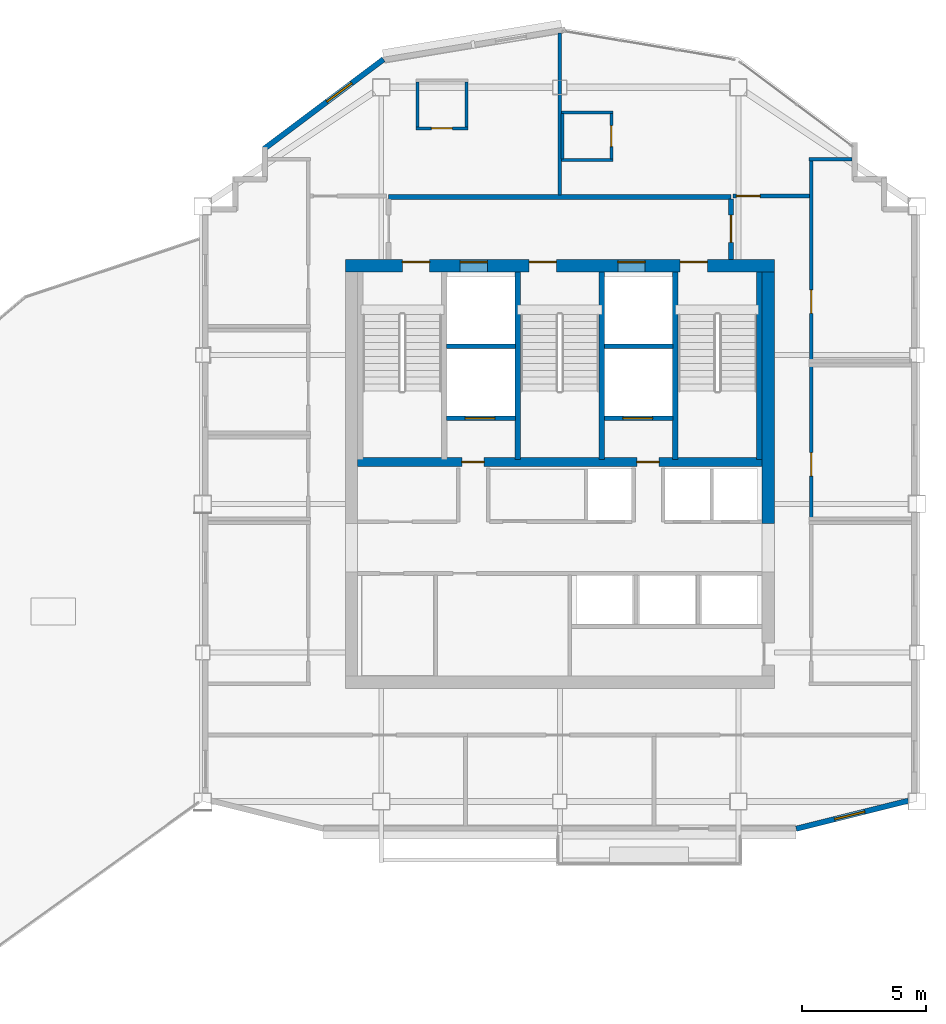
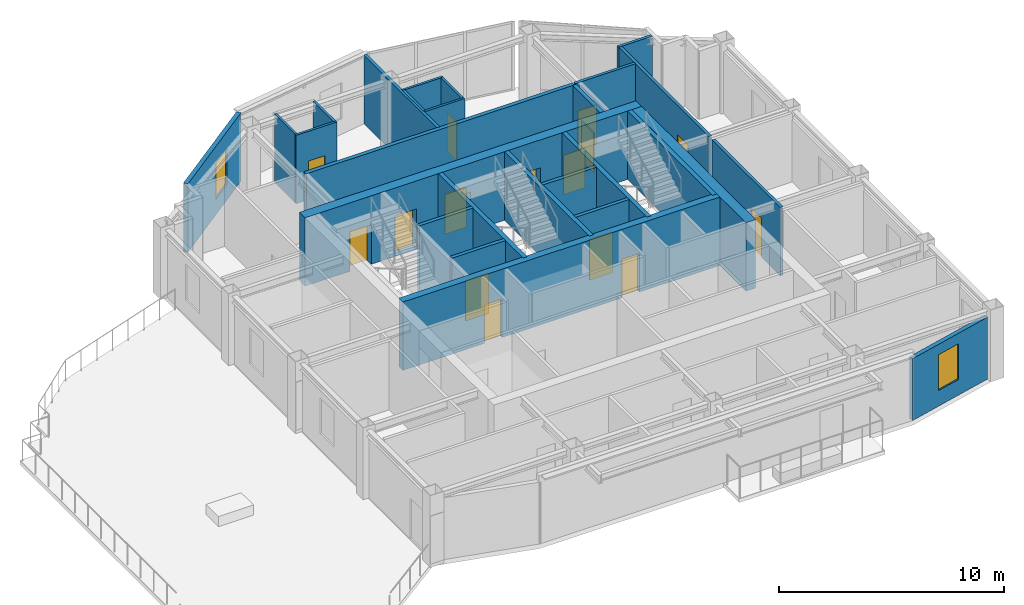
# One storey, part 9 of 12: 27 walls, 15 doors, 2 windows, 17 openings.
"""IFC4 building model written with IfcOpenShell, lengths in metres."""

from ifc_helpers import new_model, si_unit, direction, frame, frame_2d, origin, place, context, subcontext, project, spatial, rectangle, extrude, material, layer, layer_set, type_object, element, fill, save


model = new_model("IFC4")

# Units and contexts
model_context = context("Model", 3, precision=1e-05, world=origin(), true_north=direction((0.0, 1.0)))
body_context = subcontext(model_context, "Body", "Model", "MODEL_VIEW")
ifc_project = project(units=[si_unit("LENGTHUNIT", "METRE"), si_unit("AREAUNIT", "SQUARE_METRE"), si_unit("VOLUMEUNIT", "CUBIC_METRE"), si_unit("PLANEANGLEUNIT", "RADIAN"), si_unit("MASSUNIT", "GRAM", prefix="KILO")], contexts=[model_context])

# Site, building, storey
site_placement = place(None, origin())
site = spatial("IfcSite", under=ifc_project, at=site_placement, CompositionType="ELEMENT")
building_placement = place(site_placement, origin())
building = spatial("IfcBuilding", under=site, at=building_placement, Name="Haolan Belvedere Tower", CompositionType="ELEMENT")
storey_placement = place(building_placement, frame((0.0, 0.0, 282.199951171875)))
storey = spatial("IfcBuildingStorey", under=building, at=storey_placement, Name="L71", CompositionType="ELEMENT", Elevation=282.199951171875)

# Wall, openings, doors
ifc_material_1 = material(Name="Concrete C50/60", Category="concrete")
ifc_layer_1 = layer(ifc_material_1, 0.5, Name="Concrete C50/60")
ifc_layer_set_1 = layer_set([ifc_layer_1], Name="Concrete C50/60")
wall_type_1 = type_object("IfcWallType", Name="WL-CORE-500", PredefinedType="SHEAR", material=ifc_layer_set_1)
wall_1_placement = place(storey_placement, frame((29.75, 43.199951171875, 0.0), z_axis=(0.0, 0.0, 1.0), x_axis=(1.0, 0.0, 0.0)))
wall_1 = element("IfcWall", 1, at=wall_1_placement, inside=storey, type_object=wall_type_1, Name="L71 central core north shear wall", PredefinedType="SHEAR", context=body_context, shape_type="SweptSolid", body=[
    extrude(rectangle(XDim=17.300048828125, YDim=0.5, at=frame_2d((8.64990234375, 0.0))), origin(), (0.0, 0.0, 1.0), 3.719970703125),
])
opening_1_placement = place(wall_1_placement, frame((2.300048828125, 0.0, 0.0)))
opening_1 = element("IfcOpeningElement", 2, at=opening_1_placement, cuts=wall_1, Name="Opening FD-03", PredefinedType="OPENING", context=body_context, shape_type="SweptSolid", body=[
    extrude(rectangle(XDim=1.10009765625, YDim=2.14990234375, at=frame_2d((0.550048828125, 1.074951171875))), frame((0.0, 0.260009765625, 0.0), z_axis=(0.0, -1.0, 0.0), x_axis=(1.0, 0.0, 0.0)), (0.0, 0.0, 1.0), 0.52001953125),
])
opening_2_placement = place(wall_1_placement, frame((7.409912109375, 0.0, 0.0)))
opening_2 = element("IfcOpeningElement", 3, at=opening_2_placement, cuts=wall_1, Name="Opening FD-03", PredefinedType="OPENING", context=body_context, shape_type="SweptSolid", body=[
    extrude(rectangle(XDim=1.10009765625, YDim=2.14990234375, at=frame_2d((0.550048828125, 1.074951171875))), frame((0.0, 0.260009765625, 0.0), z_axis=(0.0, -1.0, 0.0), x_axis=(1.0, 0.0, 0.0)), (0.0, 0.0, 1.0), 0.52001953125),
])
opening_3_placement = place(wall_1_placement, frame((13.5, 0.0, 0.0)))
opening_3 = element("IfcOpeningElement", 4, at=opening_3_placement, cuts=wall_1, Name="Opening FD-03", PredefinedType="OPENING", context=body_context, shape_type="SweptSolid", body=[
    extrude(rectangle(XDim=1.10009765625, YDim=2.14990234375, at=frame_2d((0.550048828125, 1.074951171875))), frame((0.0, 0.260009765625, 0.0), z_axis=(0.0, -1.0, 0.0), x_axis=(1.0, 0.0, 0.0)), (0.0, 0.0, 1.0), 0.52001953125),
])
opening_4_placement = place(wall_1_placement, frame((4.6298828125, 0.0, 0.0)))
opening_4 = element("IfcOpeningElement", 5, at=opening_4_placement, cuts=wall_1, Name="Opening LD-01", PredefinedType="OPENING", context=body_context, shape_type="SweptSolid", body=[
    extrude(rectangle(XDim=1.10009765625, YDim=2.199951171875, at=frame_2d((0.550048828125, 1.10009765625))), frame((0.0, 0.260009765625, 0.0), z_axis=(0.0, -1.0, 0.0), x_axis=(1.0, 0.0, 0.0)), (0.0, 0.0, 1.0), 0.52001953125),
])
opening_5_placement = place(wall_1_placement, frame((10.989990234375, 0.0, 0.0)))
opening_5 = element("IfcOpeningElement", 6, at=opening_5_placement, cuts=wall_1, Name="Opening LD-01", PredefinedType="OPENING", context=body_context, shape_type="SweptSolid", body=[
    extrude(rectangle(XDim=1.10009765625, YDim=2.199951171875, at=frame_2d((0.550048828125, 1.10009765625))), frame((0.0, 0.260009765625, 0.0), z_axis=(0.0, -1.0, 0.0), x_axis=(1.0, 0.0, 0.0)), (0.0, 0.0, 1.0), 0.52001953125),
])
ifc_material_2 = material(Name="Galvanised fire-rated steel", Category="steel")
door_type_1 = type_object("IfcDoorType", Name="DR-FD90-1100", OperationType="NOTDEFINED", PredefinedType="DOOR", material=ifc_material_2)
door_1_placement = place(opening_1_placement, origin())
door_1 = element("IfcDoor", 7, at=door_1_placement, inside=storey, type_object=door_type_1, Name="L71 door CD-L71-ST1", OperationType="SINGLE_SWING_LEFT", OverallHeight=2.14990234375, OverallWidth=1.10009765625, PredefinedType="DOOR", context=body_context, shape_type="SweptSolid", body=[
    extrude(rectangle(XDim=1.10009765625, YDim=2.14990234375, at=frame_2d((0.550048828125, 1.074951171875))), frame((0.0, 0.18505859375, 0.0), z_axis=(0.0, -1.0, 0.0), x_axis=(1.0, 0.0, 0.0)), (0.0, 0.0, 1.0), 0.050048828125),
])
fill(opening_1, door_1)
door_2_placement = place(opening_2_placement, origin())
door_2 = element("IfcDoor", 8, at=door_2_placement, inside=storey, type_object=door_type_1, Name="L71 door CD-L71-ST3", OperationType="SINGLE_SWING_LEFT", OverallHeight=2.14990234375, OverallWidth=1.10009765625, PredefinedType="DOOR", context=body_context, shape_type="SweptSolid", body=[
    extrude(rectangle(XDim=1.10009765625, YDim=2.14990234375, at=frame_2d((0.550048828125, 1.074951171875))), frame((0.0, 0.18505859375, 0.0), z_axis=(0.0, -1.0, 0.0), x_axis=(1.0, 0.0, 0.0)), (0.0, 0.0, 1.0), 0.050048828125),
])
fill(opening_2, door_2)
door_3_placement = place(opening_3_placement, origin())
door_3 = element("IfcDoor", 9, at=door_3_placement, inside=storey, type_object=door_type_1, Name="L71 door CD-L71-ST2", OperationType="SINGLE_SWING_RIGHT", OverallHeight=2.14990234375, OverallWidth=1.10009765625, PredefinedType="DOOR", context=body_context, shape_type="SweptSolid", body=[
    extrude(rectangle(XDim=1.10009765625, YDim=2.14990234375, at=frame_2d((0.550048828125, 1.074951171875))), frame((0.0, 0.18505859375, 0.0), z_axis=(0.0, -1.0, 0.0), x_axis=(1.0, 0.0, 0.0)), (0.0, 0.0, 1.0), 0.050048828125),
])
fill(opening_3, door_3)
ifc_material_3 = material(Name="Brushed champagne stainless steel 316L", Category="steel")
door_type_2 = type_object("IfcDoorType", Name="DR-LIFT-1100", OperationType="SLIDING_TO_LEFT", PredefinedType="DOOR", material=ifc_material_3)
door_4_placement = place(opening_4_placement, origin())
door_4 = element("IfcDoor", 10, at=door_4_placement, inside=storey, type_object=door_type_2, Name="L71 door LD-L71-FF1", OperationType="SLIDING_TO_LEFT", OverallHeight=2.199951171875, OverallWidth=1.10009765625, PredefinedType="DOOR", context=body_context, shape_type="SweptSolid", body=[
    extrude(rectangle(XDim=1.10009765625, YDim=2.199951171875, at=frame_2d((0.550048828125, 1.10009765625))), frame((0.0, 0.18505859375, 0.0), z_axis=(0.0, -1.0, 0.0), x_axis=(1.0, 0.0, 0.0)), (0.0, 0.0, 1.0), 0.050048828125),
])
fill(opening_4, door_4)
door_5_placement = place(opening_5_placement, origin())
door_5 = element("IfcDoor", 11, at=door_5_placement, inside=storey, type_object=door_type_2, Name="L71 door LD-L71-FF2", OperationType="SLIDING_TO_LEFT", OverallHeight=2.199951171875, OverallWidth=1.10009765625, PredefinedType="DOOR", context=body_context, shape_type="SweptSolid", body=[
    extrude(rectangle(XDim=1.10009765625, YDim=2.199951171875, at=frame_2d((0.550048828125, 1.10009765625))), frame((0.0, 0.18505859375, 0.0), z_axis=(0.0, -1.0, 0.0), x_axis=(1.0, 0.0, 0.0)), (0.0, 0.0, 1.0), 0.050048828125),
])
fill(opening_5, door_5)

# Wall
wall_2_placement = place(storey_placement, frame((46.800048828125, 32.800048828125, 0.0), z_axis=(0.0, 0.0, 1.0), x_axis=(0.0, 1.0, 0.0)))
element("IfcWall", 12, at=wall_2_placement, inside=storey, type_object=wall_type_1, Name="L71 central core shear wall EN", PredefinedType="SHEAR", context=body_context, shape_type="SweptSolid", body=[
    extrude(rectangle(XDim=10.14990234375, YDim=0.5, at=frame_2d((5.074951171875, 0.0))), origin(), (0.0, 0.0, 1.0), 3.719970703125),
])

# Wall, opening, window
ifc_material_4 = material(Name="Precast concrete C40/50", Category="concrete")
ifc_layer_2 = layer(ifc_material_4, 0.219970703125, Name="Precast concrete C40/50")
ifc_layer_set_2 = layer_set([ifc_layer_2], Name="Precast concrete C40/50")
wall_type_2 = type_object("IfcWallType", Name="WL-EXT-220", PredefinedType="SOLIDWALL", material=ifc_layer_set_2)
wall_3_placement = place(storey_placement, frame((47.93310546875, 20.49658203125, 0.0), z_axis=(0.0, 0.0, 1.0), x_axis=(0.970136341762, 0.242560257242, 0.0)))
wall_3 = element("IfcWall", 13, at=wall_3_placement, inside=storey, type_object=wall_type_2, Name="L71 pale-metal exterior spandrel wall 2.1", PredefinedType="SOLIDWALL", context=body_context, shape_type="SweptSolid", body=[
    extrude(rectangle(XDim=4.664306640625, YDim=0.219970703125, at=frame_2d((2.33203125, 0.0))), origin(), (0.0, 0.0, 1.0), 3.364990234375),
])
opening_6_placement = place(wall_3_placement, frame((1.60009765625, 0.0, 0.85009765625)))
opening_6 = element("IfcOpeningElement", 14, at=opening_6_placement, cuts=wall_3, Name="Opening W-04", PredefinedType="OPENING", context=body_context, shape_type="SweptSolid", body=[
    extrude(rectangle(XDim=1.25, YDim=1.949951171875, at=frame_2d((0.625, 0.97509765625))), frame((0.0, 0.119873046875, 0.0), z_axis=(0.0, -1.0, 0.0), x_axis=(1.0, 0.0, 0.0)), (0.0, 0.0, 1.0), 0.239990234375),
])
ifc_material_5 = material(Name="Anodised aluminium 6063-T6 and Low-E glass", Category="aluminium")
window_type = type_object("IfcWindowType", Name="WN-DECO-Z4", PartitioningType="SINGLE_PANEL", PredefinedType="WINDOW", material=ifc_material_5)
window_1_placement = place(opening_6_placement, origin())
window_1 = element("IfcWindow", 15, at=window_1_placement, inside=storey, type_object=window_type, Name="L71 Art Deco chevron window 1", OverallHeight=1.949951171875, OverallWidth=1.25, PartitioningType="SINGLE_PANEL", PredefinedType="WINDOW", context=body_context, shape_type="SweptSolid", body=[
    extrude(rectangle(XDim=1.25, YDim=1.949951171875, at=frame_2d((0.625, 0.97509765625))), frame((0.0, 0.030029296875, 0.0), z_axis=(0.0, -1.0, 0.0), x_axis=(1.0, 0.0, 0.0)), (0.0, 0.0, 1.0), 0.06005859375),
])
fill(opening_6, window_1)

wall_4_placement = place(storey_placement, frame((31.28857421875, 51.52880859375, 0.0), z_axis=(0.0, 0.0, 1.0), x_axis=(-0.800014580093, -0.599980559383, 0.0)))
wall_4 = element("IfcWall", 16, at=wall_4_placement, inside=storey, type_object=wall_type_2, Name="L71 pale-metal exterior spandrel wall 11.1", PredefinedType="SOLIDWALL", context=body_context, shape_type="SweptSolid", body=[
    extrude(rectangle(XDim=6.028076171875, YDim=0.219970703125, at=frame_2d((3.01416015625, 0.0))), origin(), (0.0, 0.0, 1.0), 3.719970703125),
])
opening_7_placement = place(wall_4_placement, frame((1.60009765625, 0.0, 0.85009765625)))
opening_7 = element("IfcOpeningElement", 17, at=opening_7_placement, cuts=wall_4, Name="Opening W-04", PredefinedType="OPENING", context=body_context, shape_type="SweptSolid", body=[
    extrude(rectangle(XDim=1.25, YDim=1.949951171875, at=frame_2d((0.625, 0.97509765625))), frame((0.0, 0.119873046875, 0.0), z_axis=(0.0, -1.0, 0.0), x_axis=(1.0, 0.0, 0.0)), (0.0, 0.0, 1.0), 0.239990234375),
])
window_2_placement = place(opening_7_placement, origin())
window_2 = element("IfcWindow", 18, at=window_2_placement, inside=storey, type_object=window_type, Name="L71 Art Deco chevron window 1", OverallHeight=1.949951171875, OverallWidth=1.25, PartitioningType="SINGLE_PANEL", PredefinedType="WINDOW", context=body_context, shape_type="SweptSolid", body=[
    extrude(rectangle(XDim=1.25, YDim=1.949951171875, at=frame_2d((0.625, 0.97509765625))), frame((0.0, 0.030029296875, 0.0), z_axis=(0.0, -1.0, 0.0), x_axis=(1.0, 0.0, 0.0)), (0.0, 0.0, 1.0), 0.06005859375),
])
fill(opening_7, window_2)

# Wall
ifc_material_6 = material(Name="Concrete C40/50", Category="concrete")
ifc_layer_3 = layer(ifc_material_6, 0.199951171875, Name="Concrete C40/50")
ifc_layer_set_3 = layer_set([ifc_layer_3], Name="Concrete C40/50")
wall_type_3 = type_object("IfcWallType", Name="WL-FIRE-200", PredefinedType="SOLIDWALL", material=ifc_layer_set_3)
wall_5_placement = place(storey_placement, frame((31.5, 45.97998046875, 0.0), z_axis=(0.0, 0.0, 1.0), x_axis=(1.0, 0.0, 0.0)))
element("IfcWall", 19, at=wall_5_placement, inside=storey, type_object=wall_type_3, Name="L71 interior partition IW-L71-FFL-N", PredefinedType="SOLIDWALL", context=body_context, shape_type="SweptSolid", body=[
    extrude(rectangle(XDim=13.800048828125, YDim=0.199951171875, at=frame_2d((6.89990234375, 0.0))), origin(), (0.0, 0.0, 1.0), 3.719970703125),
])

# Wall, opening, door
wall_6_placement = place(storey_placement, frame((45.300048828125, 43.449951171875, 0.0), z_axis=(0.0, 0.0, 1.0), x_axis=(0.0, 1.0, 0.0)))
wall_6 = element("IfcWall", 20, at=wall_6_placement, inside=storey, type_object=wall_type_3, Name="L71 interior partition IW-L71-FFL-E", PredefinedType="SOLIDWALL", context=body_context, shape_type="SweptSolid", body=[
    extrude(rectangle(XDim=2.445068359375, YDim=0.199951171875, at=frame_2d((1.22265625, 0.0))), origin(), (0.0, 0.0, 1.0), 3.719970703125),
])
opening_8_placement = place(wall_6_placement, frame((0.699951171875, 0.0, 0.0)))
opening_8 = element("IfcOpeningElement", 21, at=opening_8_placement, cuts=wall_6, Name="Opening FD-03", PredefinedType="OPENING", context=body_context, shape_type="SweptSolid", body=[
    extrude(rectangle(XDim=1.10009765625, YDim=2.14990234375, at=frame_2d((0.550048828125, 1.074951171875))), frame((0.0, 0.10986328125, 0.0), z_axis=(0.0, -1.0, 0.0), x_axis=(1.0, 0.0, 0.0)), (0.0, 0.0, 1.0), 0.219970703125),
])
door_6_placement = place(opening_8_placement, origin())
door_6 = element("IfcDoor", 22, at=door_6_placement, inside=storey, type_object=door_type_1, Name="L71 door ID-L71-FFL-DE", OperationType="SINGLE_SWING_RIGHT", OverallHeight=2.14990234375, OverallWidth=1.10009765625, PredefinedType="DOOR", context=body_context, shape_type="SweptSolid", body=[
    extrude(rectangle(XDim=1.10009765625, YDim=2.14990234375, at=frame_2d((0.550048828125, 1.074951171875))), frame((0.0, 0.02490234375, 0.0), z_axis=(0.0, -1.0, 0.0), x_axis=(1.0, 0.0, 0.0)), (0.0, 0.0, 1.0), 0.050048828125),
])
fill(opening_8, door_6)

ifc_material_7 = material(Name="Double gypsum acoustic stud partition", Category="masonry")
ifc_layer_4 = layer(ifc_material_7, 0.14990234375, Name="Double gypsum acoustic stud partition")
ifc_layer_set_4 = layer_set([ifc_layer_4], Name="Double gypsum acoustic stud partition")
wall_type_4 = type_object("IfcWallType", Name="WL-PART-150", PredefinedType="PARTITIONING", material=ifc_layer_set_4)
wall_7_placement = place(storey_placement, frame((48.5400390625, 33.06005859375, 0.0), z_axis=(0.0, 0.0, 1.0), x_axis=(0.0, 1.0, 0.0)))
wall_7 = element("IfcWall", 23, at=wall_7_placement, inside=storey, type_object=wall_type_4, Name="L71 interior partition IW-L71-HSK-W", PredefinedType="PARTITIONING", context=body_context, shape_type="SweptSolid", body=[
    extrude(rectangle(XDim=6.079833984375, YDim=0.14990234375, at=frame_2d((3.0400390625, 0.0))), origin(), (0.0, 0.0, 1.0), 3.719970703125),
])
opening_9_placement = place(wall_7_placement, frame((1.659912109375, 0.0, 0.0)))
opening_9 = element("IfcOpeningElement", 24, at=opening_9_placement, cuts=wall_7, Name="Opening ID-03", PredefinedType="OPENING", context=body_context, shape_type="SweptSolid", body=[
    extrude(rectangle(XDim=0.949951171875, YDim=2.1201171875, at=frame_2d((0.47509765625, 1.06005859375))), frame((0.0, 0.0849609375, 0.0), z_axis=(0.0, -1.0, 0.0), x_axis=(1.0, 0.0, 0.0)), (0.0, 0.0, 1.0), 0.169921875),
])
ifc_material_8 = material(Name="Painted solid-core timber", Category="wood")
door_type_3 = type_object("IfcDoorType", Name="DR-INT-950", OperationType="NOTDEFINED", PredefinedType="DOOR", material=ifc_material_8)
door_7_placement = place(opening_9_placement, origin())
door_7 = element("IfcDoor", 25, at=door_7_placement, inside=storey, type_object=door_type_3, Name="L71 door ID-L71-HSK", OperationType="SINGLE_SWING_RIGHT", OverallHeight=2.1201171875, OverallWidth=0.949951171875, PredefinedType="DOOR", context=body_context, shape_type="SweptSolid", body=[
    extrude(rectangle(XDim=0.949951171875, YDim=2.1201171875, at=frame_2d((0.47509765625, 1.06005859375))), frame((0.0, 0.02490234375, 0.0), z_axis=(0.0, -1.0, 0.0), x_axis=(1.0, 0.0, 0.0)), (0.0, 0.0, 1.0), 0.050048828125),
])
fill(opening_9, door_7)

# Wall
wall_8_placement = place(storey_placement, frame((48.4599609375, 47.5, 0.0), z_axis=(0.0, 0.0, 1.0), x_axis=(1.0, 0.0, 0.0)))
element("IfcWall", 26, at=wall_8_placement, inside=storey, type_object=wall_type_4, Name="L71 interior partition IW-L71-MTG-N", PredefinedType="PARTITIONING", context=body_context, shape_type="SweptSolid", body=[
    extrude(rectangle(XDim=1.72802734375, YDim=0.14990234375, at=frame_2d((0.864013671875, 0.0))), origin(), (0.0, 0.0, 1.0), 3.719970703125),
])

# Wall, opening, door
wall_9_placement = place(storey_placement, frame((48.5400390625, 39.419921875, 0.0), z_axis=(0.0, 0.0, 1.0), x_axis=(0.0, 1.0, 0.0)))
wall_9 = element("IfcWall", 27, at=wall_9_placement, inside=storey, type_object=wall_type_4, Name="L71 interior partition IW-L71-MTG-W", PredefinedType="PARTITIONING", context=body_context, shape_type="SweptSolid", body=[
    extrude(rectangle(XDim=8.02001953125, YDim=0.14990234375, at=frame_2d((4.010009765625, 0.0))), origin(), (0.0, 0.0, 1.0), 3.719970703125),
])
opening_10_placement = place(wall_9_placement, frame((1.860107421875, 0.0, 0.0)))
opening_10 = element("IfcOpeningElement", 28, at=opening_10_placement, cuts=wall_9, Name="Opening ID-03", PredefinedType="OPENING", context=body_context, shape_type="SweptSolid", body=[
    extrude(rectangle(XDim=0.949951171875, YDim=2.1201171875, at=frame_2d((0.47509765625, 1.06005859375))), frame((0.0, 0.0849609375, 0.0), z_axis=(0.0, -1.0, 0.0), x_axis=(1.0, 0.0, 0.0)), (0.0, 0.0, 1.0), 0.169921875),
])
door_8_placement = place(opening_10_placement, origin())
door_8 = element("IfcDoor", 29, at=door_8_placement, inside=storey, type_object=door_type_3, Name="L71 door ID-L71-MTG", OperationType="SINGLE_SWING_LEFT", OverallHeight=2.1201171875, OverallWidth=0.949951171875, PredefinedType="DOOR", context=body_context, shape_type="SweptSolid", body=[
    extrude(rectangle(XDim=0.949951171875, YDim=2.1201171875, at=frame_2d((0.47509765625, 1.06005859375))), frame((0.0, 0.02490234375, 0.0), z_axis=(0.0, -1.0, 0.0), x_axis=(1.0, 0.0, 0.0)), (0.0, 0.0, 1.0), 0.050048828125),
])
fill(opening_10, door_8)

# Wall
wall_10_placement = place(storey_placement, frame((38.39990234375, 46.06494140625, 0.0), z_axis=(0.0, 0.0, 1.0), x_axis=(0.0, 1.0, 0.0)))
element("IfcWall", 30, at=wall_10_placement, inside=storey, type_object=wall_type_4, Name="L71 interior partition IW-L71-KN1-E", PredefinedType="PARTITIONING", context=body_context, shape_type="SweptSolid", body=[
    extrude(rectangle(XDim=6.520263671875, YDim=0.14990234375, at=frame_2d((3.26025390625, 0.0))), origin(), (0.0, 0.0, 1.0), 3.719970703125),
])

# Wall, opening, door
wall_11_placement = place(storey_placement, frame((45.385009765625, 46.02001953125, 0.0), z_axis=(0.0, 0.0, 1.0), x_axis=(1.0, 0.0, 0.0)))
wall_11 = element("IfcWall", 31, at=wall_11_placement, inside=storey, type_object=wall_type_4, Name="L71 interior partition IW-L71-KN2-S", PredefinedType="PARTITIONING", context=body_context, shape_type="SweptSolid", body=[
    extrude(rectangle(XDim=3.094970703125, YDim=0.14990234375, at=frame_2d((1.54736328125, 0.0))), origin(), (0.0, 0.0, 1.0), 3.719970703125),
])
opening_11_placement = place(wall_11_placement, frame((0.139892578125, 0.0, 0.0)))
opening_11 = element("IfcOpeningElement", 32, at=opening_11_placement, cuts=wall_11, Name="Opening ID-02", PredefinedType="OPENING", context=body_context, shape_type="SweptSolid", body=[
    extrude(rectangle(XDim=0.949951171875, YDim=2.14990234375, at=frame_2d((0.47509765625, 1.074951171875))), frame((0.0, 0.0849609375, 0.0), z_axis=(0.0, -1.0, 0.0), x_axis=(1.0, 0.0, 0.0)), (0.0, 0.0, 1.0), 0.169921875),
])
ifc_material_9 = material(Name="Acoustic oak veneer fire-rated timber", Category="wood")
door_type_4 = type_object("IfcDoorType", Name="DR-GUEST-950", OperationType="NOTDEFINED", PredefinedType="DOOR", material=ifc_material_9)
door_9_placement = place(opening_11_placement, origin())
door_9 = element("IfcDoor", 33, at=door_9_placement, inside=storey, type_object=door_type_4, Name="L71 door ID-L71-KN2-ENT", OperationType="SINGLE_SWING_LEFT", OverallHeight=2.14990234375, OverallWidth=0.949951171875, PredefinedType="DOOR", context=body_context, shape_type="SweptSolid", body=[
    extrude(rectangle(XDim=0.949951171875, YDim=2.14990234375, at=frame_2d((0.47509765625, 1.074951171875))), frame((0.0, 0.02490234375, 0.0), z_axis=(0.0, -1.0, 0.0), x_axis=(1.0, 0.0, 0.0)), (0.0, 0.0, 1.0), 0.050048828125),
])
fill(opening_11, door_9)

# Walls
ifc_layer_5 = layer(ifc_material_4, 0.179931640625, Name="Precast concrete C40/50")
ifc_layer_set_5 = layer_set([ifc_layer_5], Name="Precast concrete C40/50")
wall_type_5 = type_object("IfcWallType", Name="WL-SHAFT-180", PredefinedType="SOLIDWALL", material=ifc_layer_set_5)
for number, where, z_axis, x_axis, name in (
    (34, (33.8349609375, 39.949951171875, 0.0), (0.0, 0.0, 1.0), (1.0, 0.0, 0.0), "L71 interior partition IW-L71-FF1-S"),
    (35, (40.195068359375, 39.949951171875, 0.0), (0.0, 0.0, 1.0), (1.0, 0.0, 0.0), "L71 interior partition IW-L71-FF2-S"),
):
    element("IfcWall", number, at=place(storey_placement, frame(where, z_axis=z_axis, x_axis=x_axis)), inside=storey, type_object=wall_type_5, Name=name, PredefinedType="SOLIDWALL", context=body_context, shape_type="SweptSolid", body=[
        extrude(rectangle(XDim=2.77001953125, YDim=0.179931640625, at=frame_2d((1.385009765625, 0.0))), origin(), (0.0, 0.0, 1.0), 3.719970703125),
    ])

# Wall, opening, door
wall_12_placement = place(storey_placement, frame((33.8349609375, 37.050048828125, 0.0), z_axis=(0.0, 0.0, 1.0), x_axis=(1.0, 0.0, 0.0)))
wall_12 = element("IfcWall", 36, at=wall_12_placement, inside=storey, type_object=wall_type_5, Name="L71 interior partition IW-L71-SV1-S", PredefinedType="SOLIDWALL", context=body_context, shape_type="SweptSolid", body=[
    extrude(rectangle(XDim=2.77001953125, YDim=0.179931640625, at=frame_2d((1.385009765625, 0.0))), origin(), (0.0, 0.0, 1.0), 3.719970703125),
])
opening_12_placement = place(wall_12_placement, frame((1.945068359375, 0.0, 0.0), z_axis=(0.0, 0.0, 1.0), x_axis=(-1.0, 0.0, 0.0)))
opening_12 = element("IfcOpeningElement", 37, at=opening_12_placement, cuts=wall_12, Name="Opening LD-02", PredefinedType="OPENING", context=body_context, shape_type="SweptSolid", body=[
    extrude(rectangle(XDim=1.199951171875, YDim=2.199951171875, at=frame_2d((0.60009765625, 1.10009765625))), frame((0.0, 0.099853515625, 0.0), z_axis=(0.0, -1.0, 0.0), x_axis=(1.0, 0.0, 0.0)), (0.0, 0.0, 1.0), 0.199951171875),
])
door_type_5 = type_object("IfcDoorType", Name="DR-LIFT-1200", OperationType="SLIDING_TO_RIGHT", PredefinedType="DOOR", material=ifc_material_3)
door_10_placement = place(opening_12_placement, origin())
door_10 = element("IfcDoor", 38, at=door_10_placement, inside=storey, type_object=door_type_5, Name="L71 door ID-L71-LD-SV1", OperationType="SLIDING_TO_RIGHT", OverallHeight=2.199951171875, OverallWidth=1.199951171875, PredefinedType="DOOR", context=body_context, shape_type="SweptSolid", body=[
    extrude(rectangle(XDim=1.199951171875, YDim=2.199951171875, at=frame_2d((0.60009765625, 1.10009765625))), frame((0.0, 0.02490234375, 0.0), z_axis=(0.0, -1.0, 0.0), x_axis=(1.0, 0.0, 0.0)), (0.0, 0.0, 1.0), 0.050048828125),
])
fill(opening_12, door_10)

wall_13_placement = place(storey_placement, frame((40.195068359375, 37.050048828125, 0.0), z_axis=(0.0, 0.0, 1.0), x_axis=(1.0, 0.0, 0.0)))
wall_13 = element("IfcWall", 39, at=wall_13_placement, inside=storey, type_object=wall_type_5, Name="L71 interior partition IW-L71-SV2-S", PredefinedType="SOLIDWALL", context=body_context, shape_type="SweptSolid", body=[
    extrude(rectangle(XDim=2.77001953125, YDim=0.179931640625, at=frame_2d((1.385009765625, 0.0))), origin(), (0.0, 0.0, 1.0), 3.719970703125),
])
opening_13_placement = place(wall_13_placement, frame((1.945068359375, 0.0, 0.0), z_axis=(0.0, 0.0, 1.0), x_axis=(-1.0, 0.0, 0.0)))
opening_13 = element("IfcOpeningElement", 40, at=opening_13_placement, cuts=wall_13, Name="Opening LD-02", PredefinedType="OPENING", context=body_context, shape_type="SweptSolid", body=[
    extrude(rectangle(XDim=1.199951171875, YDim=2.199951171875, at=frame_2d((0.60009765625, 1.10009765625))), frame((0.0, 0.099853515625, 0.0), z_axis=(0.0, -1.0, 0.0), x_axis=(1.0, 0.0, 0.0)), (0.0, 0.0, 1.0), 0.199951171875),
])
door_11_placement = place(opening_13_placement, origin())
door_11 = element("IfcDoor", 41, at=door_11_placement, inside=storey, type_object=door_type_5, Name="L71 door ID-L71-LD-SV2", OperationType="SLIDING_TO_RIGHT", OverallHeight=2.199951171875, OverallWidth=1.199951171875, PredefinedType="DOOR", context=body_context, shape_type="SweptSolid", body=[
    extrude(rectangle(XDim=1.199951171875, YDim=2.199951171875, at=frame_2d((0.60009765625, 1.10009765625))), frame((0.0, 0.02490234375, 0.0), z_axis=(0.0, -1.0, 0.0), x_axis=(1.0, 0.0, 0.0)), (0.0, 0.0, 1.0), 0.050048828125),
])
fill(opening_13, door_11)

# Walls
ifc_layer_6 = layer(ifc_material_1, 0.219970703125, Name="Concrete C50/60")
ifc_layer_set_6 = layer_set([ifc_layer_6], Name="Concrete C50/60")
wall_type_6 = type_object("IfcWallType", Name="WL-STAIR-220", PredefinedType="SHEAR", material=ifc_layer_set_6)
for number, where, z_axis, x_axis, name in (
    (42, (36.699951171875, 35.389892578125, 0.0), (0.0, 0.0, 1.0), (0.0, 1.0, 0.0), "L71 structural stair core wall ST3W"),
    (43, (40.10009765625, 35.389892578125, 0.0), (0.0, 0.0, 1.0), (0.0, 1.0, 0.0), "L71 structural stair core wall ST3E"),
    (44, (43.06005859375, 35.389892578125, 0.0), (0.0, 0.0, 1.0), (0.0, 1.0, 0.0), "L71 structural stair core wall ST2W"),
    (45, (46.43798828125, 35.389892578125, 0.0), (0.0, 0.0, 1.0), (0.0, 1.0, 0.0), "L71 structural stair core wall ST2E"),
):
    element("IfcWall", number, at=place(storey_placement, frame(where, z_axis=z_axis, x_axis=x_axis)), inside=storey, type_object=wall_type_6, Name=name, PredefinedType="SHEAR", context=body_context, shape_type="SweptSolid", body=[
        extrude(rectangle(XDim=7.56005859375, YDim=0.219970703125, at=frame_2d((3.780029296875, 0.0))), origin(), (0.0, 0.0, 1.0), 3.719970703125),
    ])

# Wall, openings, doors
ifc_material_10 = material(Name="Concrete C60/75", Category="concrete")
ifc_layer_7 = layer(ifc_material_10, 0.360107421875, Name="Concrete C60/75")
ifc_layer_set_7 = layer_set([ifc_layer_7], Name="Concrete C60/75")
wall_type_7 = type_object("IfcWallType", Name="WL-WEB-350", PredefinedType="SHEAR", material=ifc_layer_set_7)
wall_14_placement = place(storey_placement, frame((30.25, 35.2900390625, 0.0), z_axis=(0.0, 0.0, 1.0), x_axis=(1.0, 0.0, 0.0)))
wall_14 = element("IfcWall", 46, at=wall_14_placement, inside=storey, type_object=wall_type_7, Name="L71 central core internal shear web", PredefinedType="SHEAR", context=body_context, shape_type="SweptSolid", body=[
    extrude(rectangle(XDim=16.300048828125, YDim=0.360107421875, at=frame_2d((8.14990234375, 0.0))), origin(), (0.0, 0.0, 1.0), 3.719970703125),
])
opening_14_placement = place(wall_14_placement, frame((5.099853515625, 0.0, 0.0), z_axis=(0.0, 0.0, 1.0), x_axis=(-1.0, 0.0, 0.0)))
opening_14 = element("IfcOpeningElement", 47, at=opening_14_placement, cuts=wall_14, Name="Opening FD-05", PredefinedType="OPENING", context=body_context, shape_type="SweptSolid", body=[
    extrude(rectangle(XDim=0.89990234375, YDim=2.10009765625, at=frame_2d((0.449951171875, 1.050048828125))), frame((0.0, 0.18994140625, 0.0), z_axis=(0.0, -1.0, 0.0), x_axis=(1.0, 0.0, 0.0)), (0.0, 0.0, 1.0), 0.380126953125),
])
opening_15_placement = place(wall_14_placement, frame((12.159912109375, 0.0, 0.0), z_axis=(0.0, 0.0, 1.0), x_axis=(-1.0, 0.0, 0.0)))
opening_15 = element("IfcOpeningElement", 48, at=opening_15_placement, cuts=wall_14, Name="Opening FD-05", PredefinedType="OPENING", context=body_context, shape_type="SweptSolid", body=[
    extrude(rectangle(XDim=0.89990234375, YDim=2.10009765625, at=frame_2d((0.449951171875, 1.050048828125))), frame((0.0, 0.18994140625, 0.0), z_axis=(0.0, -1.0, 0.0), x_axis=(1.0, 0.0, 0.0)), (0.0, 0.0, 1.0), 0.380126953125),
])
door_type_6 = type_object("IfcDoorType", Name="DR-FD60-900", OperationType="NOTDEFINED", PredefinedType="DOOR", material=ifc_material_2)
door_12_placement = place(opening_14_placement, origin())
door_12 = element("IfcDoor", 49, at=door_12_placement, inside=storey, type_object=door_type_6, Name="L71 door CD-L71-SVL-SV1", OperationType="SINGLE_SWING_RIGHT", OverallHeight=2.10009765625, OverallWidth=0.89990234375, PredefinedType="DOOR", context=body_context, shape_type="SweptSolid", body=[
    extrude(rectangle(XDim=0.89990234375, YDim=2.10009765625, at=frame_2d((0.449951171875, 1.050048828125))), frame((0.0, 0.02490234375, 0.0), z_axis=(0.0, -1.0, 0.0), x_axis=(1.0, 0.0, 0.0)), (0.0, 0.0, 1.0), 0.050048828125),
])
fill(opening_14, door_12)
door_13_placement = place(opening_15_placement, origin())
door_13 = element("IfcDoor", 50, at=door_13_placement, inside=storey, type_object=door_type_6, Name="L71 door CD-L71-SVL-SV2", OperationType="SINGLE_SWING_RIGHT", OverallHeight=2.10009765625, OverallWidth=0.89990234375, PredefinedType="DOOR", context=body_context, shape_type="SweptSolid", body=[
    extrude(rectangle(XDim=0.89990234375, YDim=2.10009765625, at=frame_2d((0.449951171875, 1.050048828125))), frame((0.0, 0.02490234375, 0.0), z_axis=(0.0, -1.0, 0.0), x_axis=(1.0, 0.0, 0.0)), (0.0, 0.0, 1.0), 0.050048828125),
])
fill(opening_15, door_13)

# Wall, opening, door
ifc_material_11 = material(Name="Moisture-resistant gypsum tile partition", Category="masonry")
ifc_layer_8 = layer(ifc_material_11, 0.1201171875, Name="Moisture-resistant gypsum tile partition")
ifc_layer_set_8 = layer_set([ifc_layer_8], Name="Moisture-resistant gypsum tile partition")
wall_type_8 = type_object("IfcWallType", Name="WL-WET-120", PredefinedType="PARTITIONING", material=ifc_layer_set_8)
wall_15_placement = place(storey_placement, frame((32.595947265625, 48.74609375, 0.0), z_axis=(0.0, 0.0, 1.0), x_axis=(1.0, 0.0, 0.0)))
wall_15 = element("IfcWall", 51, at=wall_15_placement, inside=storey, type_object=wall_type_8, Name="L71 interior partition IW-L71-KN1-BS", PredefinedType="PARTITIONING", context=body_context, shape_type="SweptSolid", body=[
    extrude(rectangle(XDim=2.10009765625, YDim=0.1201171875, at=frame_2d((1.050048828125, 0.0))), origin(), (0.0, 0.0, 1.0), 3.719970703125),
])
opening_16_placement = place(wall_15_placement, frame((0.625, 0.0, 0.0)))
opening_16 = element("IfcOpeningElement", 52, at=opening_16_placement, cuts=wall_15, Name="Opening ID-05", PredefinedType="OPENING", context=body_context, shape_type="SweptSolid", body=[
    extrude(rectangle(XDim=0.85009765625, YDim=2.10009765625, at=frame_2d((0.425048828125, 1.050048828125))), frame((0.0, 0.070068359375, 0.0), z_axis=(0.0, -1.0, 0.0), x_axis=(1.0, 0.0, 0.0)), (0.0, 0.0, 1.0), 0.14013671875),
])
ifc_material_12 = material(Name="Moisture-resistant lacquered timber", Category="wood")
door_type_7 = type_object("IfcDoorType", Name="DR-BATH-850", OperationType="NOTDEFINED", PredefinedType="DOOR", material=ifc_material_12)
door_14_placement = place(opening_16_placement, origin())
door_14 = element("IfcDoor", 53, at=door_14_placement, inside=storey, type_object=door_type_7, Name="L71 door ID-L71-KN1-BATH", OperationType="SINGLE_SWING_LEFT", OverallHeight=2.10009765625, OverallWidth=0.85009765625, PredefinedType="DOOR", context=body_context, shape_type="SweptSolid", body=[
    extrude(rectangle(XDim=0.85009765625, YDim=2.10009765625, at=frame_2d((0.425048828125, 1.050048828125))), frame((0.0, 0.02490234375, 0.0), z_axis=(0.0, -1.0, 0.0), x_axis=(1.0, 0.0, 0.0)), (0.0, 0.0, 1.0), 0.050048828125),
])
fill(opening_16, door_14)

# Walls
for number, where, z_axis, x_axis, name in (
    (54, (32.656005859375, 48.791015625, 0.0), (0.0, 0.0, 1.0), (0.0, 1.0, 0.0), "L71 interior partition IW-L71-KN1-BW"),
    (55, (34.635986328125, 48.791015625, 0.0), (0.0, 0.0, 1.0), (0.0, 1.0, 0.0), "L71 interior partition IW-L71-KN1-BE"),
):
    element("IfcWall", number, at=place(storey_placement, frame(where, z_axis=z_axis, x_axis=x_axis)), inside=storey, type_object=wall_type_8, Name=name, PredefinedType="PARTITIONING", context=body_context, shape_type="SweptSolid", body=[
        extrude(rectangle(XDim=1.830078125, YDim=0.1201171875, at=frame_2d((0.9150390625, 0.0))), origin(), (0.0, 0.0, 1.0), 3.719970703125),
    ])
for number, where, z_axis, x_axis, name in (
    (56, (38.4599609375, 49.389892578125, 0.0), (0.0, 0.0, 1.0), (1.0, 0.0, 0.0), "L71 interior partition IW-L71-KN2-BN"),
    (57, (38.4599609375, 47.469970703125, 0.0), (0.0, 0.0, 1.0), (1.0, 0.0, 0.0), "L71 interior partition IW-L71-KN2-BS"),
):
    element("IfcWall", number, at=place(storey_placement, frame(where, z_axis=z_axis, x_axis=x_axis)), inside=storey, type_object=wall_type_8, Name=name, PredefinedType="PARTITIONING", context=body_context, shape_type="SweptSolid", body=[
        extrude(rectangle(XDim=2.080078125, YDim=0.1201171875, at=frame_2d((1.0400390625, 0.0))), origin(), (0.0, 0.0, 1.0), 3.719970703125),
    ])
wall_16_placement = place(storey_placement, frame((38.5, 47.514892578125, 0.0), z_axis=(0.0, 0.0, 1.0), x_axis=(0.0, 1.0, 0.0)))
element("IfcWall", 58, at=wall_16_placement, inside=storey, type_object=wall_type_8, Name="L71 interior partition IW-L71-KN2-BW", PredefinedType="PARTITIONING", context=body_context, shape_type="SweptSolid", body=[
    extrude(rectangle(XDim=1.830078125, YDim=0.1201171875, at=frame_2d((0.9150390625, 0.0))), origin(), (0.0, 0.0, 1.0), 3.719970703125),
])

# Wall, opening, door
wall_17_placement = place(storey_placement, frame((40.47998046875, 47.514892578125, 0.0), z_axis=(0.0, 0.0, 1.0), x_axis=(0.0, 1.0, 0.0)))
wall_17 = element("IfcWall", 59, at=wall_17_placement, inside=storey, type_object=wall_type_8, Name="L71 interior partition IW-L71-KN2-BE", PredefinedType="PARTITIONING", context=body_context, shape_type="SweptSolid", body=[
    extrude(rectangle(XDim=1.830078125, YDim=0.1201171875, at=frame_2d((0.9150390625, 0.0))), origin(), (0.0, 0.0, 1.0), 3.719970703125),
])
opening_17_placement = place(wall_17_placement, frame((0.489990234375, 0.0, 0.0)))
opening_17 = element("IfcOpeningElement", 60, at=opening_17_placement, cuts=wall_17, Name="Opening ID-05", PredefinedType="OPENING", context=body_context, shape_type="SweptSolid", body=[
    extrude(rectangle(XDim=0.85009765625, YDim=2.10009765625, at=frame_2d((0.425048828125, 1.050048828125))), frame((0.0, 0.070068359375, 0.0), z_axis=(0.0, -1.0, 0.0), x_axis=(1.0, 0.0, 0.0)), (0.0, 0.0, 1.0), 0.14013671875),
])
door_15_placement = place(opening_17_placement, origin())
door_15 = element("IfcDoor", 61, at=door_15_placement, inside=storey, type_object=door_type_7, Name="L71 door ID-L71-KN2-BATH", OperationType="SINGLE_SWING_RIGHT", OverallHeight=2.10009765625, OverallWidth=0.85009765625, PredefinedType="DOOR", context=body_context, shape_type="SweptSolid", body=[
    extrude(rectangle(XDim=0.85009765625, YDim=2.10009765625, at=frame_2d((0.425048828125, 1.050048828125))), frame((0.0, 0.02490234375, 0.0), z_axis=(0.0, -1.0, 0.0), x_axis=(1.0, 0.0, 0.0)), (0.0, 0.0, 1.0), 0.050048828125),
])
fill(opening_17, door_15)

save(model, "model.ifc")
